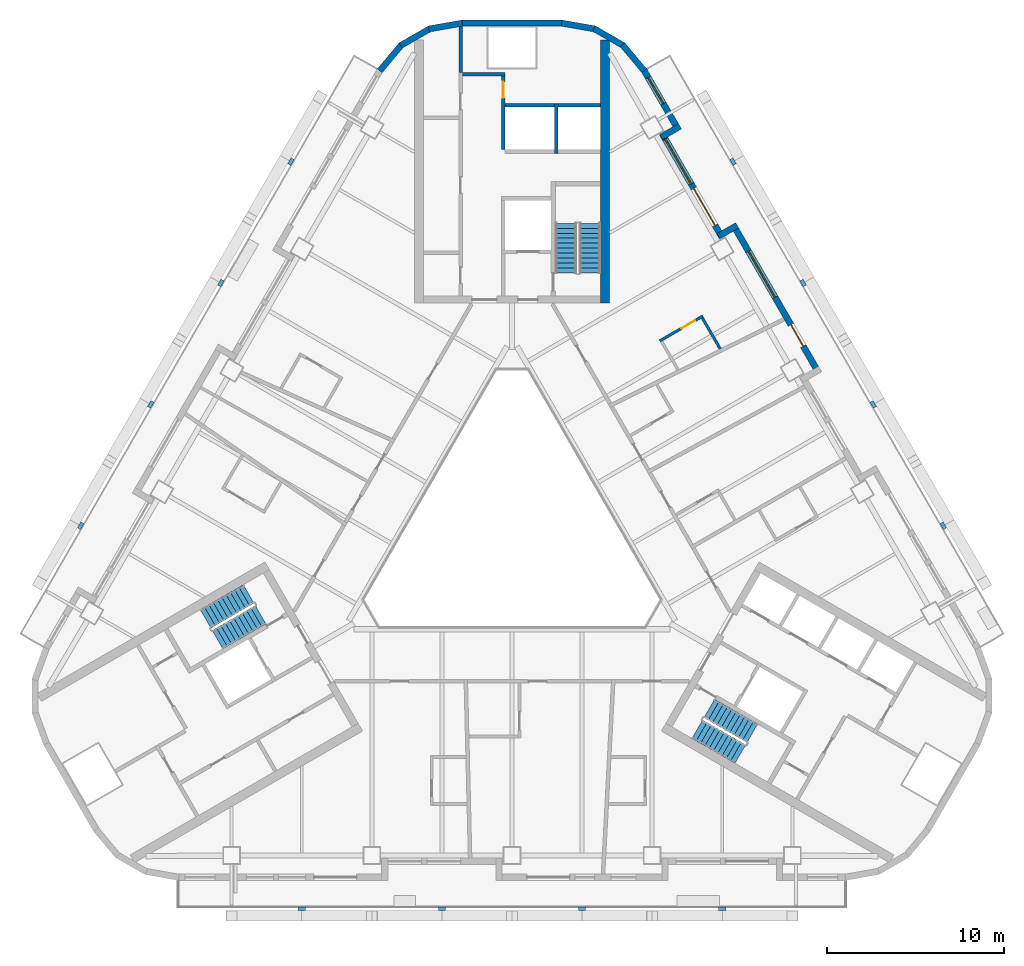
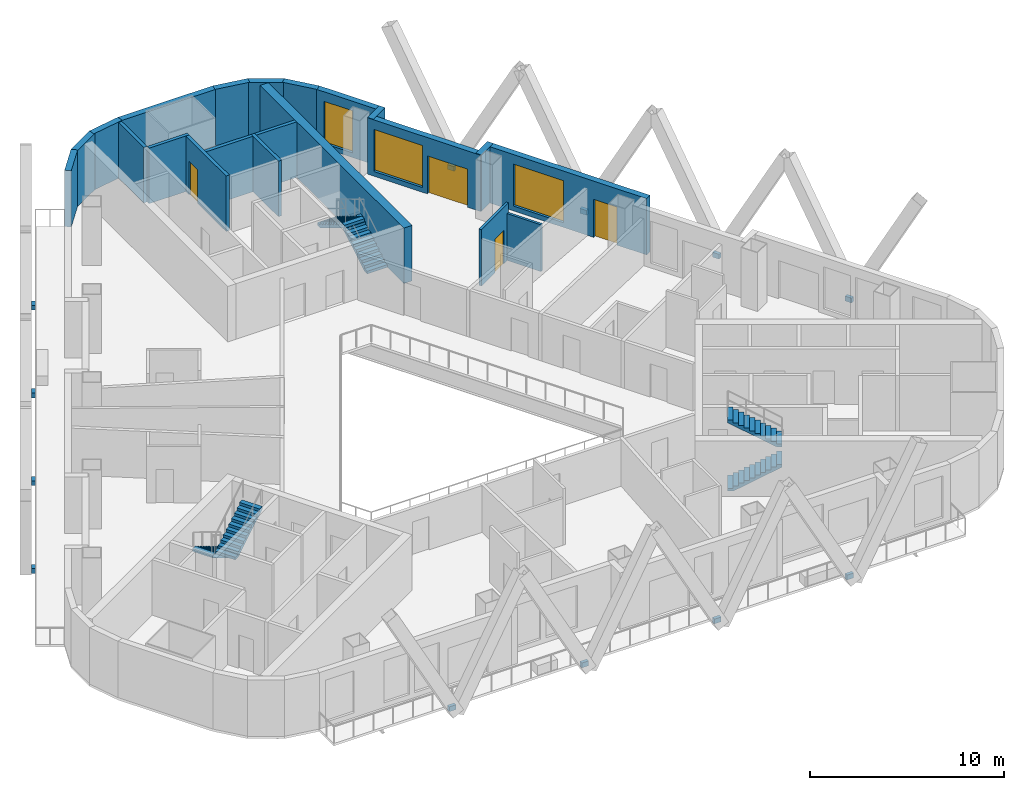
# One storey, part 7 of 13: 21 walls, 12 discrete accessories, 6 stair flights, 4 doors, 3 windows, 7 openings, 3 elements without a shape of their own.
"""IFC4 building model written with IfcOpenShell, lengths in metres."""

import ifcopenshell
import ifcopenshell.guid

model = None  # the IFC model being written
_history = None  # IfcOwnerHistory: only IFC2X3 demands one
_inside = {}  # id of a spatial element -> (the spatial element, [elements in it])
_under = {}  # id of a project, library or spatial element -> (it, [spatial elements below it])
_declared = {}  # id of a project -> (the project, [libraries it declares])
_typed = {}  # id of a type object -> (the type object, [elements of that type])
_made_of = {}  # id of a material, layer set ... -> (it, [elements and type objects made of it])


def new_model(schema):
    """Start an empty IFC model of exactly this schema.

    Asked for "IFC4X3", IfcOpenShell would pick the latest addendum, in which some entities
    have other attributes; the version numbers below select the first issue.
    IFC2X3 requires an IfcOwnerHistory on every rooted entity: one is made here for all.
    """
    global model, _history
    if schema == "IFC4X3":
        model = ifcopenshell.file(schema_version=(4, 3, 0, 0))
    else:
        model = ifcopenshell.file(schema=schema)
    _inside.clear()
    _under.clear()
    _declared.clear()
    _typed.clear()
    _made_of.clear()
    _history = None
    if model.schema == "IFC2X3":
        org = make("IfcOrganization", Name="unknown")
        user = make(
            "IfcPersonAndOrganization",
            ThePerson=make("IfcPerson", FamilyName="unknown"),
            TheOrganization=org,
        )
        app = make(
            "IfcApplication",
            ApplicationDeveloper=org,
            Version="unknown",
            ApplicationFullName="unknown",
            ApplicationIdentifier="unknown",
        )
        _history = make(
            "IfcOwnerHistory",
            OwningUser=user,
            OwningApplication=app,
            ChangeAction="ADDED",
            CreationDate=0,
        )
    return model


def make(cls, **values):
    """One entity of the class cls with the attributes given. An attribute that is None is left unset."""
    return model.create_entity(
        cls, **{name: value for name, value in values.items() if value is not None}
    )


def rooted(cls, **values):
    """An entity with a GlobalId (a new one), such as an element, a storey or a relation."""
    return make(cls, GlobalId=ifcopenshell.guid.new(), OwnerHistory=_history, **values)


def si_unit(unit_type, name, prefix=None):
    """IfcSIUnit, for example si_unit("LENGTHUNIT", "METRE", prefix="MILLI")."""
    return make("IfcSIUnit", UnitType=unit_type, Prefix=prefix, Name=name)


def assignment(units):
    """IfcUnitAssignment: the units of a project."""
    return None if units is None else make("IfcUnitAssignment", Units=units)


def point(xyz):
    """IfcCartesianPoint."""
    return None if xyz is None else make("IfcCartesianPoint", Coordinates=xyz)


def direction(xyz):
    """IfcDirection."""
    return None if xyz is None else make("IfcDirection", DirectionRatios=xyz)


def frame(location, z_axis=None, x_axis=None):
    """IfcAxis2Placement3D, a coordinate frame: its origin and axes. An axis left out is left unset."""
    return make(
        "IfcAxis2Placement3D",
        Location=point(location),
        Axis=direction(z_axis),
        RefDirection=direction(x_axis),
    )


def frame_2d(location, x_axis=None):
    """IfcAxis2Placement2D, a coordinate frame in the plane: its origin and x axis."""
    return make(
        "IfcAxis2Placement2D", Location=point(location), RefDirection=direction(x_axis)
    )


def origin():
    """The frame at (0, 0, 0) with its axes left unset."""
    return frame((0.0, 0.0, 0.0))


def origin_2d():
    """The frame at (0, 0) in the plane with its x axis left unset."""
    return frame_2d((0.0, 0.0))


def place(relative_to, where):
    """IfcLocalPlacement: puts the frame where relative to a parent placement (None: the world)."""
    return make(
        "IfcLocalPlacement", PlacementRelTo=relative_to, RelativePlacement=where
    )


def context(
    kind, dimensions, precision=None, world=None, true_north=None, identifier=None
):
    """IfcGeometricRepresentationContext, for example the 3D "Model" context."""
    return make(
        "IfcGeometricRepresentationContext",
        ContextIdentifier=identifier,
        ContextType=kind,
        CoordinateSpaceDimension=dimensions,
        Precision=precision,
        WorldCoordinateSystem=world,
        TrueNorth=true_north,
    )


def subcontext(parent, identifier, kind, view, scale=None):
    """IfcGeometricRepresentationSubContext, for example "Body" below "Model"."""
    return make(
        "IfcGeometricRepresentationSubContext",
        ContextIdentifier=identifier,
        ContextType=kind,
        ParentContext=parent,
        TargetScale=scale,
        TargetView=view,
    )


def project(units=None, contexts=None):
    """IfcProject with its units and contexts."""
    return rooted(
        "IfcProject",
        Name="project",
        RepresentationContexts=contexts,
        UnitsInContext=assignment(units),
    )


def spatial(cls, under=None, at=None, **own):
    """A site, building, storey or space (cls), placed at a placement, below another one or the project."""
    s = rooted(cls, ObjectPlacement=at, **own)
    if under is not None:
        _under.setdefault(under.id(), (under, []))[1].append(s)
    return s


def polyline(points):
    """IfcPolyline through the points."""
    return make("IfcPolyline", Points=[point(p) for p in points])


def profile(cls, at=None, kind="AREA", **sizes):
    """A parametric profile (cls). Its sizes go by their IFC names, for example OverallWidth=200.0."""
    return make(cls, ProfileType=kind, Position=at, **sizes)


def rectangle(**sizes):
    """IfcRectangleProfileDef."""
    return profile("IfcRectangleProfileDef", **sizes)


def outline(outer, holes=None, kind="AREA"):
    """IfcArbitraryClosedProfileDef: a profile drawn as a closed curve; with holes, ...WithVoids."""
    if holes is None:
        return make("IfcArbitraryClosedProfileDef", ProfileType=kind, OuterCurve=outer)
    return make(
        "IfcArbitraryProfileDefWithVoids",
        ProfileType=kind,
        OuterCurve=outer,
        InnerCurves=holes,
    )


def extrude(swept, where, along, depth):
    """IfcExtrudedAreaSolid: the profile swept, set in the frame where, extruded along a direction by depth."""
    return make(
        "IfcExtrudedAreaSolid",
        SweptArea=swept,
        Position=where,
        ExtrudedDirection=direction(along),
        Depth=depth,
    )


def shape(context_of_items, identifier, shape_type, items):
    """IfcShapeRepresentation: the items that make up one representation, for example the "Body"."""
    return make(
        "IfcShapeRepresentation",
        ContextOfItems=context_of_items,
        RepresentationIdentifier=identifier,
        RepresentationType=shape_type,
        Items=items,
    )


def material(Name=None, Category=None):
    """IfcMaterial."""
    return make("IfcMaterial", Name=Name, Category=Category)


def layer(
    of_material, thickness, ventilated=None, Name=None, Category=None, Priority=None
):
    """IfcMaterialLayer: one layer of a wall or slab, of a material (None: an air gap)."""
    return make(
        "IfcMaterialLayer",
        Material=of_material,
        LayerThickness=thickness,
        IsVentilated=ventilated,
        Name=Name,
        Category=Category,
        Priority=Priority,
    )


def layer_set(layers, Name=None):
    """IfcMaterialLayerSet."""
    return make("IfcMaterialLayerSet", MaterialLayers=layers, LayerSetName=Name)


def made_of(thing, what):
    """Note that an element or type object is made of a material, layer set ...; save() writes the relation."""
    if what is not None:
        _made_of.setdefault(what.id(), (what, []))[1].append(thing)
    return thing


def type_object(cls, material=None, **own):
    """A type object (cls), such as IfcWallType, which elements share."""
    return made_of(rooted(cls, **own), material)


def element(
    cls,
    number,
    at=None,
    inside=None,
    cuts=None,
    type_object=None,
    material=None,
    context=None,
    identifier="Body",
    shape_type=None,
    held_by="IfcProductDefinitionShape",
    body=None,
    shapes=None,
    **own,
):
    """One element of the class cls, such as IfcWall. Its Tag is "e" and its number.

    at: its placement. inside: the storey or other place that contains it. cuts: it is an
    opening in that element (IfcRelVoidsElement). A single representation is given by context,
    identifier, shape_type and body (its items); several are given by shapes. held_by: the class
    of the entity that holds the representations. save() writes the other relations.
    """
    e = rooted(cls, Tag="e%d" % number, ObjectPlacement=at, **own)
    if body is not None:
        shapes = [shape(context, identifier, shape_type, body)]
    if shapes is not None:
        e.Representation = make(held_by, Representations=shapes)
    if inside is not None:
        _inside.setdefault(inside.id(), (inside, []))[1].append(e)
    if cuts is not None:
        rooted(
            "IfcRelVoidsElement", RelatingBuildingElement=cuts, RelatedOpeningElement=e
        )
    if type_object is not None:
        _typed.setdefault(type_object.id(), (type_object, []))[1].append(e)
    return made_of(e, material)


def fill(opening, filler):
    """IfcRelFillsElement: the door or window that sits in an opening."""
    return rooted(
        "IfcRelFillsElement",
        RelatingOpeningElement=opening,
        RelatedBuildingElement=filler,
    )


def aggregate(whole, parts):
    """IfcRelAggregates: a whole, such as a stair, and the parts it consists of."""
    return rooted("IfcRelAggregates", RelatingObject=whole, RelatedObjects=parts)


def save(model, path):
    """Write the relations noted so far, then the file.

    IfcRelAggregates (storeys below a building ...), IfcRelContainedInSpatialStructure (elements
    in a storey), IfcRelDefinesByType, IfcRelAssociatesMaterial and IfcRelDeclares: one each for
    every whole, place, type object, material and project.
    """
    for whole, parts in _under.values():
        aggregate(whole, parts)
    for where, things in _inside.values():
        rooted(
            "IfcRelContainedInSpatialStructure",
            RelatedElements=things,
            RelatingStructure=where,
        )
    for kind, things in _typed.values():
        rooted("IfcRelDefinesByType", RelatedObjects=things, RelatingType=kind)
    for what, things in _made_of.values():
        rooted("IfcRelAssociatesMaterial", RelatedObjects=things, RelatingMaterial=what)
    for by, libraries in _declared.values():
        rooted("IfcRelDeclares", RelatingContext=by, RelatedDefinitions=libraries)
    model.write(path)


model = new_model("IFC4")

# Units and contexts
model_context = context("Model", 3, precision=1e-05, world=origin(), true_north=direction((0.0, 1.0)))
body_context = subcontext(model_context, "Body", "Model", "MODEL_VIEW")
ifc_project = project(units=[si_unit("LENGTHUNIT", "METRE"), si_unit("AREAUNIT", "SQUARE_METRE"), si_unit("VOLUMEUNIT", "CUBIC_METRE"), si_unit("PLANEANGLEUNIT", "RADIAN"), si_unit("MASSUNIT", "GRAM", prefix="KILO")], contexts=[model_context])

# Site, building, storey
site_placement = place(None, origin())
site = spatial("IfcSite", under=ifc_project, at=site_placement, CompositionType="ELEMENT")
building_placement = place(site_placement, origin())
building = spatial("IfcBuilding", under=site, at=building_placement, Name="Apuvela Tower Hotel", CompositionType="ELEMENT")
storey_placement = place(building_placement, frame((0.0, 0.0, 83.5)))
storey = spatial("IfcBuildingStorey", under=building, at=storey_placement, Name="L18", CompositionType="ELEMENT", Elevation=83.5)

# Walls
ifc_material_1 = material(Name="Concrete C50/60", Category="concrete")
ifc_layer_1 = layer(ifc_material_1, 0.5)
ifc_layer_set_1 = layer_set([ifc_layer_1], Name="COR-WALL-CORE-500")
wall_type_1 = type_object("IfcWallType", Name="COR-WALL-CORE-500", PredefinedType="SHEAR", material=ifc_layer_set_1)
wall_1_placement = place(storey_placement, frame((5.25, 12.89990234375, 0.0), z_axis=(0.0, 0.0, 1.0), x_axis=(0.0, 1.0, 0.0)))
element("IfcWall", 1, at=wall_1_placement, inside=storey, type_object=wall_type_1, Name="Core wall N", PredefinedType="SHEAR", context=body_context, shape_type="SweptSolid", body=[
    extrude(rectangle(XDim=14.8369140625, YDim=0.5, at=frame_2d((7.41845703125, 0.0))), origin(), (0.0, 0.0, 1.0), 3.5),
])
ifc_layer_2 = layer(ifc_material_1, 0.199951171875)
ifc_layer_set_2 = layer_set([ifc_layer_2], Name="COR-WALL-SHAFT-200")
wall_type_2 = type_object("IfcWallType", Name="COR-WALL-SHAFT-200", PredefinedType="SHEAR", material=ifc_layer_set_2)
wall_2_placement = place(storey_placement, frame((-0.39990234375, 25.800048828125, 0.0), z_axis=(0.0, 0.0, 1.0), x_axis=(-1.0, 0.0, 0.0)))
element("IfcWall", 2, at=wall_2_placement, inside=storey, type_object=wall_type_2, Name="Shaft wall N", PredefinedType="SHEAR", context=body_context, shape_type="SweptSolid", body=[
    extrude(rectangle(XDim=2.400146484375, YDim=0.199951171875, at=frame_2d((1.2001953125, 0.0))), origin(), (0.0, 0.0, 1.0), 3.5),
])

# Wall, opening, door
wall_3_placement = place(storey_placement, frame((-0.5, 21.550048828125, 0.0), z_axis=(0.0, 0.0, 1.0), x_axis=(0.0, 1.0, 0.0)))
wall_3 = element("IfcWall", 3, at=wall_3_placement, inside=storey, type_object=wall_type_2, Name="Shaft wall N", PredefinedType="SHEAR", context=body_context, shape_type="SweptSolid", body=[
    extrude(rectangle(XDim=4.14990234375, YDim=0.199951171875, at=frame_2d((2.074951171875, 0.0))), origin(), (0.0, 0.0, 1.0), 3.5),
])
opening_1_placement = place(wall_3_placement, frame((2.925048828125, 0.0, 0.0)))
opening_1 = element("IfcOpeningElement", 4, at=opening_1_placement, cuts=wall_3, Name="Opening N-RSP", PredefinedType="OPENING", context=body_context, shape_type="SweptSolid", body=[
    extrude(rectangle(XDim=0.89990234375, YDim=2.10009765625, at=frame_2d((0.449951171875, 1.050048828125))), frame((0.0, 0.10986328125, 0.0), z_axis=(0.0, -1.0, 0.0), x_axis=(1.0, 0.0, 0.0)), (0.0, 0.0, 1.0), 0.219970703125),
])
ifc_material_2 = material(Name="Steel fire door, powder coated", Category="steel")
door_type_1 = type_object("IfcDoorType", Name="COR-DR-900", OperationType="NOTDEFINED", PredefinedType="DOOR", material=ifc_material_2)
door_1_placement = place(opening_1_placement, frame((0.89990234375, 0.0, 0.0), z_axis=(0.0, 0.0, 1.0), x_axis=(-1.0, 0.0, 0.0)))
door_1 = element("IfcDoor", 5, at=door_1_placement, inside=storey, type_object=door_type_1, Name="Store door N-RSP", OperationType="SINGLE_SWING_LEFT", OverallHeight=2.10009765625, OverallWidth=0.89990234375, PredefinedType="DOOR", context=body_context, shape_type="SweptSolid", body=[
    extrude(rectangle(XDim=0.89990234375, YDim=2.10009765625, at=frame_2d((0.449951171875, 1.050048828125))), frame((0.0, 0.02490234375, 0.0), z_axis=(0.0, -1.0, 0.0), x_axis=(1.0, 0.0, 0.0)), (0.0, 0.0, 1.0), 0.050048828125),
])
fill(opening_1, door_1)

# Walls
wall_4_placement = place(storey_placement, frame((-2.89990234375, 25.89990234375, 0.0), z_axis=(0.0, 0.0, 1.0), x_axis=(0.0, 1.0, 0.0)))
element("IfcWall", 6, at=wall_4_placement, inside=storey, type_object=wall_type_2, Name="Shaft wall N", PredefinedType="SHEAR", context=body_context, shape_type="SweptSolid", body=[
    extrude(rectangle(XDim=2.60009765625, YDim=0.199951171875, at=frame_2d((1.300048828125, 0.0))), origin(), (0.0, 0.0, 1.0), 3.5),
])
wall_5_placement = place(storey_placement, frame((2.5, 21.35009765625, 0.0), z_axis=(0.0, 0.0, 1.0), x_axis=(0.0, 1.0, 0.0)))
element("IfcWall", 7, at=wall_5_placement, inside=storey, type_object=wall_type_2, Name="Shaft wall N", PredefinedType="SHEAR", context=body_context, shape_type="SweptSolid", body=[
    extrude(rectangle(XDim=2.7998046875, YDim=0.199951171875, at=frame_2d((1.39990234375, 0.0))), origin(), (0.0, 0.0, 1.0), 3.5),
])
wall_6_placement = place(storey_placement, frame((5.0, 24.050048828125, 0.0), z_axis=(0.0, 0.0, 1.0), x_axis=(-1.0, 0.0, 0.0)))
element("IfcWall", 8, at=wall_6_placement, inside=storey, type_object=wall_type_2, Name="Shaft wall N", PredefinedType="SHEAR", context=body_context, shape_type="SweptSolid", body=[
    extrude(rectangle(XDim=2.39990234375, YDim=0.199951171875, at=frame_2d((1.199951171875, 0.0))), origin(), (0.0, 0.0, 1.0), 3.5),
])
wall_7_placement = place(storey_placement, frame((2.39990234375, 24.050048828125, 0.0), z_axis=(0.0, 0.0, 1.0), x_axis=(-1.0, 0.0, 0.0)))
element("IfcWall", 9, at=wall_7_placement, inside=storey, type_object=wall_type_2, Name="Shaft wall N", PredefinedType="SHEAR", context=body_context, shape_type="SweptSolid", body=[
    extrude(rectangle(XDim=2.7998046875, YDim=0.199951171875, at=frame_2d((1.39990234375, 0.0))), origin(), (0.0, 0.0, 1.0), 3.5),
])

# Wall, openings, door, window
ifc_material_3 = material(Name="Concrete C40/50, dark pigmented precast panel", Category="concrete")
ifc_layer_3 = layer(ifc_material_3, 0.35009765625)
ifc_layer_set_3 = layer_set([ifc_layer_3], Name="ENV-WALL-350")
wall_type_3 = type_object("IfcWallType", Name="ENV-WALL-350", PredefinedType="SOLIDWALL", material=ifc_layer_set_3)
wall_8_placement = place(storey_placement, frame((17.298583984375, 8.947998046875, 0.0), z_axis=(0.0, 0.0, 1.0), x_axis=(-0.500010041276, 0.866019606374, 0.0)))
wall_8 = element("IfcWall", 10, at=wall_8_placement, inside=storey, type_object=wall_type_3, Name="External wall L18-37", PredefinedType="SOLIDWALL", context=body_context, shape_type="SweptSolid", body=[
    extrude(rectangle(XDim=9.699951171875, YDim=0.35009765625, at=frame_2d((4.85009765625, 0.0))), origin(), (0.0, 0.0, 1.0), 3.550048828125),
])
opening_2_placement = place(wall_8_placement, frame((1.760009765625, 0.0, 0.0)))
opening_2 = element("IfcOpeningElement", 11, at=opening_2_placement, cuts=wall_8, Name="Opening BD14", PredefinedType="OPENING", context=body_context, shape_type="SweptSolid", body=[
    extrude(rectangle(XDim=1.39990234375, YDim=2.39990234375, at=frame_2d((0.699951171875, 1.199951171875))), frame((0.0, 0.18505859375, 0.0), z_axis=(0.0, -1.0, 0.0), x_axis=(1.0, 0.0, 0.0)), (0.0, 0.0, 1.0), 0.3701171875),
])
opening_3_placement = place(wall_8_placement, frame((4.94921875, 0.0, 0.300048828125)))
opening_3 = element("IfcOpeningElement", 12, at=opening_3_placement, cuts=wall_8, Name="Opening WN30", PredefinedType="OPENING", context=body_context, shape_type="SweptSolid", body=[
    extrude(rectangle(XDim=3.0, YDim=2.64990234375, at=frame_2d((1.5, 1.324951171875))), frame((0.0, 0.18505859375, 0.0), z_axis=(0.0, -1.0, 0.0), x_axis=(1.0, 0.0, 0.0)), (0.0, 0.0, 1.0), 0.3701171875),
])
ifc_material_4 = material(Name="Aluminium 6063-T6, dark bronze anodised frame with dark tinted laminated glass", Category="aluminium")
door_type_2 = type_object("IfcDoorType", Name="ENV-DOOR-BALCONY-1400x2400", OperationType="SLIDING_TO_LEFT", PredefinedType="DOOR", material=ifc_material_4)
door_2_placement = place(opening_2_placement, frame((1.39990234375, 0.0, 0.0), z_axis=(0.0, 0.0, 1.0), x_axis=(-1.0, 0.0, 0.0)))
door_2 = element("IfcDoor", 13, at=door_2_placement, inside=storey, type_object=door_type_2, Name="Balcony door BD14", OperationType="SLIDING_TO_LEFT", OverallHeight=2.39990234375, OverallWidth=1.39990234375, PredefinedType="DOOR", context=body_context, shape_type="SweptSolid", body=[
    extrude(rectangle(XDim=1.39990234375, YDim=2.39990234375, at=frame_2d((0.699951171875, 1.199951171875))), frame((0.0, 0.02490234375, 0.0), z_axis=(0.0, -1.0, 0.0), x_axis=(1.0, 0.0, 0.0)), (0.0, 0.0, 1.0), 0.050048828125),
])
fill(opening_2, door_2)
ifc_material_5 = material(Name="Glass, dark tinted laminated insulated glazing unit", Category="glass")
window_type_1 = type_object("IfcWindowType", Name="ENV-WIN-3000x2650", PartitioningType="SINGLE_PANEL", PredefinedType="WINDOW", material=ifc_material_5)
window_1_placement = place(opening_3_placement, origin())
window_1 = element("IfcWindow", 14, at=window_1_placement, inside=storey, type_object=window_type_1, Name="Window WN30", OverallHeight=2.64990234375, OverallWidth=3.0, PartitioningType="SINGLE_PANEL", PredefinedType="WINDOW", context=body_context, shape_type="SweptSolid", body=[
    extrude(rectangle(XDim=3.0, YDim=2.64990234375, at=frame_2d((1.5, 1.324951171875))), frame((0.0, 0.030029296875, 0.0), z_axis=(0.0, -1.0, 0.0), x_axis=(1.0, 0.0, 0.0)), (0.0, 0.0, 1.0), 0.06005859375),
])
fill(opening_3, window_1)

# Wall
wall_9_placement = place(storey_placement, frame((12.6875, 17.284423828125, 0.0), z_axis=(0.0, 0.0, 1.0), x_axis=(-0.865955602162, -0.500120880472, 0.0)))
element("IfcWall", 15, at=wall_9_placement, inside=storey, type_object=wall_type_3, Name="External wall L18-38", PredefinedType="SOLIDWALL", context=body_context, shape_type="SweptSolid", body=[
    extrude(rectangle(XDim=1.219970703125, YDim=0.35009765625, at=frame_2d((0.60986328125, 0.0))), origin(), (0.0, 0.0, 1.0), 3.550048828125),
])

# Wall, openings, door, window
wall_10_placement = place(storey_placement, frame((11.8291015625, 16.621337890625, 0.0), z_axis=(0.0, 0.0, 1.0), x_axis=(-0.500003597184, 0.866023326939, 0.0)))
wall_10 = element("IfcWall", 16, at=wall_10_placement, inside=storey, type_object=wall_type_3, Name="External wall L18-39", PredefinedType="SOLIDWALL", context=body_context, shape_type="SweptSolid", body=[
    extrude(rectangle(XDim=6.740234375, YDim=0.35009765625, at=frame_2d((3.3701171875, 0.0))), origin(), (0.0, 0.0, 1.0), 3.550048828125),
])
opening_4_placement = place(wall_10_placement, frame((0.77001953125, 0.0, 0.0)))
opening_4 = element("IfcOpeningElement", 17, at=opening_4_placement, cuts=wall_10, Name="Opening BD24", PredefinedType="OPENING", context=body_context, shape_type="SweptSolid", body=[
    extrude(rectangle(XDim=2.39990234375, YDim=2.39990234375, at=frame_2d((1.199951171875, 1.199951171875))), frame((0.0, 0.18505859375, 0.0), z_axis=(0.0, -1.0, 0.0), x_axis=(1.0, 0.0, 0.0)), (0.0, 0.0, 1.0), 0.3701171875),
])
opening_5_placement = place(wall_10_placement, frame((3.469970703125, 0.0, 0.300048828125)))
opening_5 = element("IfcOpeningElement", 18, at=opening_5_placement, cuts=wall_10, Name="Opening WN29", PredefinedType="OPENING", context=body_context, shape_type="SweptSolid", body=[
    extrude(rectangle(XDim=2.89990234375, YDim=2.64990234375, at=frame_2d((1.449951171875, 1.324951171875))), frame((0.0, 0.18505859375, 0.0), z_axis=(0.0, -1.0, 0.0), x_axis=(1.0, 0.0, 0.0)), (0.0, 0.0, 1.0), 0.3701171875),
])
door_type_3 = type_object("IfcDoorType", Name="ENV-DOOR-BALCONY-2400x2400", OperationType="SLIDING_TO_LEFT", PredefinedType="DOOR", material=ifc_material_4)
door_3_placement = place(opening_4_placement, frame((2.39990234375, 0.0, 0.0), z_axis=(0.0, 0.0, 1.0), x_axis=(-1.0, 0.0, 0.0)))
door_3 = element("IfcDoor", 19, at=door_3_placement, inside=storey, type_object=door_type_3, Name="Balcony door BD24", OperationType="SLIDING_TO_LEFT", OverallHeight=2.39990234375, OverallWidth=2.39990234375, PredefinedType="DOOR", context=body_context, shape_type="SweptSolid", body=[
    extrude(rectangle(XDim=2.39990234375, YDim=2.39990234375, at=frame_2d((1.199951171875, 1.199951171875))), frame((0.0, 0.02490234375, 0.0), z_axis=(0.0, -1.0, 0.0), x_axis=(1.0, 0.0, 0.0)), (0.0, 0.0, 1.0), 0.050048828125),
])
fill(opening_4, door_3)
window_type_2 = type_object("IfcWindowType", Name="ENV-WIN-2900x2650", PartitioningType="SINGLE_PANEL", PredefinedType="WINDOW", material=ifc_material_5)
window_2_placement = place(opening_5_placement, origin())
window_2 = element("IfcWindow", 20, at=window_2_placement, inside=storey, type_object=window_type_2, Name="Window WN29", OverallHeight=2.64990234375, OverallWidth=2.89990234375, PartitioningType="SINGLE_PANEL", PredefinedType="WINDOW", context=body_context, shape_type="SweptSolid", body=[
    extrude(rectangle(XDim=2.89990234375, YDim=2.64990234375, at=frame_2d((1.449951171875, 1.324951171875))), frame((0.0, 0.030029296875, 0.0), z_axis=(0.0, -1.0, 0.0), x_axis=(1.0, 0.0, 0.0)), (0.0, 0.0, 1.0), 0.06005859375),
])
fill(opening_5, window_2)

# Wall
wall_11_placement = place(storey_placement, frame((8.406005859375, 22.26025390625, 0.0), z_axis=(0.0, 0.0, 1.0), x_axis=(0.865955602162, 0.500120880472, 0.0)))
element("IfcWall", 21, at=wall_11_placement, inside=storey, type_object=wall_type_3, Name="External wall L18-40", PredefinedType="SOLIDWALL", context=body_context, shape_type="SweptSolid", body=[
    extrude(rectangle(XDim=1.219970703125, YDim=0.35009765625, at=frame_2d((0.60986328125, 0.0))), origin(), (0.0, 0.0, 1.0), 3.550048828125),
])

# Wall, opening, window
wall_12_placement = place(storey_placement, frame((9.3984375, 22.631103515625, 0.0), z_axis=(0.0, 0.0, 1.0), x_axis=(-0.499954521343, 0.866051659307, 0.0)))
wall_12 = element("IfcWall", 22, at=wall_12_placement, inside=storey, type_object=wall_type_3, Name="External wall L18-41", PredefinedType="SOLIDWALL", context=body_context, shape_type="SweptSolid", body=[
    extrude(rectangle(XDim=3.915771484375, YDim=0.35009765625, at=frame_2d((1.9580078125, 0.0))), origin(), (0.0, 0.0, 1.0), 3.550048828125),
])
opening_6_placement = place(wall_12_placement, frame((1.749755859375, 0.0, 0.300048828125)))
opening_6 = element("IfcOpeningElement", 23, at=opening_6_placement, cuts=wall_12, Name="Opening WN17", PredefinedType="OPENING", context=body_context, shape_type="SweptSolid", body=[
    extrude(rectangle(XDim=1.699951171875, YDim=2.64990234375, at=frame_2d((0.85009765625, 1.324951171875))), frame((0.0, 0.18505859375, 0.0), z_axis=(0.0, -1.0, 0.0), x_axis=(1.0, 0.0, 0.0)), (0.0, 0.0, 1.0), 0.3701171875),
])
window_type_3 = type_object("IfcWindowType", Name="ENV-WIN-1700x2650", PartitioningType="SINGLE_PANEL", PredefinedType="WINDOW", material=ifc_material_5)
window_3_placement = place(opening_6_placement, origin())
window_3 = element("IfcWindow", 24, at=window_3_placement, inside=storey, type_object=window_type_3, Name="Window WN17", OverallHeight=2.64990234375, OverallWidth=1.699951171875, PartitioningType="SINGLE_PANEL", PredefinedType="WINDOW", context=body_context, shape_type="SweptSolid", body=[
    extrude(rectangle(XDim=1.699951171875, YDim=2.64990234375, at=frame_2d((0.85009765625, 1.324951171875))), frame((0.0, 0.030029296875, 0.0), z_axis=(0.0, -1.0, 0.0), x_axis=(1.0, 0.0, 0.0)), (0.0, 0.0, 1.0), 0.06005859375),
])
fill(opening_6, window_3)

# Walls
wall_13_placement = place(storey_placement, frame((7.4580078125, 25.99755859375, 0.0), z_axis=(0.0, 0.0, 1.0), x_axis=(-0.642808304945, 0.766027077259, 0.0)))
element("IfcWall", 25, at=wall_13_placement, inside=storey, type_object=wall_type_3, Name="External wall L18-42", PredefinedType="SOLIDWALL", context=body_context, shape_type="SweptSolid", body=[
    extrude(rectangle(XDim=1.909912109375, YDim=0.35009765625, at=frame_2d((0.955078125, 0.0))), origin(), (0.0, 0.0, 1.0), 3.550048828125),
])
for number, where, z_axis, x_axis, name in (
    (26, (6.27685546875, 27.421630859375, 0.0), (0.0, 0.0, 1.0), (-0.866032345022, 0.499987977232, 0.0), "External wall L18-43"),
    (27, (4.6796875, 28.35595703125, 0.0), (0.0, 0.0, 1.0), (-0.984798995425, 0.173697837091, 0.0), "External wall L18-44"),
):
    element("IfcWall", number, at=place(storey_placement, frame(where, z_axis=z_axis, x_axis=x_axis)), inside=storey, type_object=wall_type_3, Name=name, PredefinedType="SOLIDWALL", context=body_context, shape_type="SweptSolid", body=[
        extrude(rectangle(XDim=1.91015625, YDim=0.35009765625, at=frame_2d((0.955078125, 0.0))), origin(), (0.0, 0.0, 1.0), 3.550048828125),
    ])
wall_14_placement = place(storey_placement, frame((2.8291015625, 28.68505859375, 0.0), z_axis=(0.0, 0.0, 1.0), x_axis=(-1.0, 0.0, 0.0)))
element("IfcWall", 28, at=wall_14_placement, inside=storey, type_object=wall_type_3, Name="External wall L18-45", PredefinedType="SOLIDWALL", context=body_context, shape_type="SweptSolid", body=[
    extrude(rectangle(XDim=5.658203125, YDim=0.35009765625, at=frame_2d((2.8291015625, 0.0))), origin(), (0.0, 0.0, 1.0), 3.550048828125),
])
for number, where, z_axis, x_axis, name in (
    (29, (-2.798583984375, 28.687744140625, 0.0), (0.0, 0.0, 1.0), (-0.984798995425, -0.173697837091, 0.0), "External wall L18-46"),
    (30, (-4.62255859375, 28.376708984375, 0.0), (0.0, 0.0, 1.0), (-0.866032345022, -0.499987977232, 0.0), "External wall L18-47"),
):
    element("IfcWall", number, at=place(storey_placement, frame(where, z_axis=z_axis, x_axis=x_axis)), inside=storey, type_object=wall_type_3, Name=name, PredefinedType="SOLIDWALL", context=body_context, shape_type="SweptSolid", body=[
        extrude(rectangle(XDim=1.91015625, YDim=0.35009765625, at=frame_2d((0.955078125, 0.0))), origin(), (0.0, 0.0, 1.0), 3.550048828125),
    ])
wall_15_placement = place(storey_placement, frame((-6.230224609375, 27.460693359375, 0.0), z_axis=(0.0, 0.0, 1.0), x_axis=(-0.642808304945, -0.766027077259, 0.0)))
element("IfcWall", 31, at=wall_15_placement, inside=storey, type_object=wall_type_3, Name="External wall L18-48", PredefinedType="SOLIDWALL", context=body_context, shape_type="SweptSolid", body=[
    extrude(rectangle(XDim=1.909912109375, YDim=0.35009765625, at=frame_2d((0.955078125, 0.0))), origin(), (0.0, 0.0, 1.0), 3.550048828125),
])

# Wall, opening, door
ifc_material_6 = material(Name="Moisture-resistant gypsum board wet wall on steel stud", Category="steel")
ifc_layer_4 = layer(ifc_material_6, 0.14990234375)
ifc_layer_set_4 = layer_set([ifc_layer_4], Name="GST-PW3")
wall_type_4 = type_object("IfcWallType", Name="GST-PW3", PredefinedType="PARTITIONING", material=ifc_layer_set_4)
wall_16_placement = place(storey_placement, frame((10.75341796875, 12.17431640625, 0.0), z_axis=(0.0, 0.0, 1.0), x_axis=(-0.866034573852, -0.49998411664, 0.0)))
wall_16 = element("IfcWall", 32, at=wall_16_placement, inside=storey, type_object=wall_type_4, Name="L18 partition 30", PredefinedType="PARTITIONING", context=body_context, shape_type="SweptSolid", body=[
    extrude(rectangle(XDim=2.7998046875, YDim=0.14990234375, at=frame_2d((1.39990234375, 0.0))), origin(), (0.0, 0.0, 1.0), 3.550048828125),
])
opening_7_placement = place(wall_16_placement, frame((0.5, 0.0, 0.0)))
opening_7 = element("IfcOpeningElement", 33, at=opening_7_placement, cuts=wall_16, Name="Opening GD05-13", PredefinedType="OPENING", context=body_context, shape_type="SweptSolid", body=[
    extrude(rectangle(XDim=0.89990234375, YDim=2.10009765625, at=frame_2d((0.449951171875, 1.050048828125))), frame((0.0, 0.0849609375, 0.0), z_axis=(0.0, -1.0, 0.0), x_axis=(1.0, 0.0, 0.0)), (0.0, 0.0, 1.0), 0.169921875),
])
ifc_material_7 = material(Name="Timber door leaf in steel frame", Category="steel")
door_type_4 = type_object("IfcDoorType", Name="GST-D2", OperationType="NOTDEFINED", PredefinedType="DOOR", material=ifc_material_7)
door_4_placement = place(opening_7_placement, origin())
door_4 = element("IfcDoor", 34, at=door_4_placement, inside=storey, type_object=door_type_4, Name="Door L18-13", OperationType="SINGLE_SWING_LEFT", OverallHeight=2.10009765625, OverallWidth=0.89990234375, PredefinedType="DOOR", context=body_context, shape_type="SweptSolid", body=[
    extrude(rectangle(XDim=0.89990234375, YDim=2.10009765625, at=frame_2d((0.449951171875, 1.050048828125))), frame((0.0, 0.02490234375, 0.0), z_axis=(0.0, -1.0, 0.0), x_axis=(1.0, 0.0, 0.0)), (0.0, 0.0, 1.0), 0.050048828125),
])
fill(opening_7, door_4)

# Wall
wall_17_placement = place(storey_placement, frame((11.737060546875, 10.32080078125, 0.0), z_axis=(0.0, 0.0, 1.0), x_axis=(-0.499969802211, 0.866042837784, 0.0)))
element("IfcWall", 35, at=wall_17_placement, inside=storey, type_object=wall_type_4, Name="L18 partition 31", PredefinedType="PARTITIONING", context=body_context, shape_type="SweptSolid", body=[
    extrude(rectangle(XDim=2.022216796875, YDim=0.14990234375, at=frame_2d((1.01123046875, 0.0))), origin(), (0.0, 0.0, 1.0), 2.949951171875),
])

# Stair, stair flights
stair_type = type_object("IfcStairType", Name="COR-STAIR-22R", PredefinedType="HALF_TURN_STAIR", material=ifc_material_1)
stair_1_placement = place(storey_placement, origin())
stair_1 = element("IfcStair", 36, at=stair_1_placement, inside=storey, type_object=stair_type, Name="L18 Exit stair ST1", PredefinedType="HALF_TURN_STAIR")
stair_flight_type = type_object("IfcStairFlightType", Name="COR-FLIGHT-11R", PredefinedType="STRAIGHT", material=ifc_material_1)
stair_flight_1_placement = place(storey_placement, frame((4.39990234375, 14.60009765625, 0.0), z_axis=(0.0, 0.0, 1.0), x_axis=(0.0, 1.0, 0.0)))
stair_flight_1 = element("IfcStairFlight", 37, at=stair_flight_1_placement, type_object=stair_flight_type, Name="ST1 flight 1", NumberOfRisers=11, NumberOfTreads=10, PredefinedType="STRAIGHT", RiserHeight=0.168181818, TreadLength=0.28, context=body_context, shape_type="SweptSolid", body=[
    extrude(outline(polyline([(0.0, 0.0), (0.0, 0.168212890625), (0.280029296875, 0.168212890625), (0.280029296875, 0.33642578125), (0.56005859375, 0.33642578125), (0.56005859375, 0.504638671875), (0.840087890625, 0.504638671875), (0.840087890625, 0.672607421875), (1.1201171875, 0.672607421875), (1.1201171875, 0.8408203125), (1.39990234375, 0.8408203125), (1.39990234375, 1.009033203125), (1.679931640625, 1.009033203125), (1.679931640625, 1.17724609375), (1.9599609375, 1.17724609375), (1.9599609375, 1.345458984375), (2.239990234375, 1.345458984375), (2.239990234375, 1.513671875), (2.52001953125, 1.513671875), (2.52001953125, 1.681884765625), (2.800048828125, 1.681884765625), (2.800048828125, 1.85009765625), (2.800048828125, 1.5068359375), (0.291015625, 0.0), (0.0, 0.0)])), frame((0.0, 0.60009765625, 0.0), z_axis=(0.0, -1.0, 0.0), x_axis=(1.0, 0.0, 0.0)), (0.0, 0.0, 1.0), 1.199951171875),
])
stair_flight_2_placement = place(storey_placement, frame((3.050048828125, 17.39990234375, 1.85009765625), z_axis=(0.0, 0.0, 1.0), x_axis=(0.0, -1.0, 0.0)))
stair_flight_2 = element("IfcStairFlight", 38, at=stair_flight_2_placement, type_object=stair_flight_type, Name="ST1 flight 2", NumberOfRisers=11, NumberOfTreads=10, PredefinedType="STRAIGHT", RiserHeight=0.168181818, TreadLength=0.28, context=body_context, shape_type="SweptSolid", body=[
    extrude(outline(polyline([(0.0, 0.0), (0.0, 0.168212890625), (0.280029296875, 0.168212890625), (0.280029296875, 0.33642578125), (0.56005859375, 0.33642578125), (0.56005859375, 0.504638671875), (0.840087890625, 0.504638671875), (0.840087890625, 0.672607421875), (1.1201171875, 0.672607421875), (1.1201171875, 0.8408203125), (1.39990234375, 0.8408203125), (1.39990234375, 1.009033203125), (1.679931640625, 1.009033203125), (1.679931640625, 1.17724609375), (1.9599609375, 1.17724609375), (1.9599609375, 1.345458984375), (2.239990234375, 1.345458984375), (2.239990234375, 1.513671875), (2.52001953125, 1.513671875), (2.52001953125, 1.681884765625), (2.800048828125, 1.681884765625), (2.800048828125, 1.85009765625), (2.800048828125, 1.5068359375), (0.291015625, 0.0), (0.0, 0.0)])), frame((0.0, 0.60009765625, 0.0), z_axis=(0.0, -1.0, 0.0), x_axis=(1.0, 0.0, 0.0)), (0.0, 0.0, 1.0), 1.199951171875),
])
aggregate(stair_1, [stair_flight_1, stair_flight_2])

stair_2_placement = place(storey_placement, origin())
stair_2 = element("IfcStair", 39, at=stair_2_placement, inside=storey, type_object=stair_type, Name="L18 Exit stair ST2", PredefinedType="HALF_TURN_STAIR")
stair_flight_3_placement = place(storey_placement, frame((-14.843994140625, -3.489501953125, 0.0), z_axis=(0.0, 0.0, 1.0), x_axis=(-0.866025403784, -0.5, 0.0)))
stair_flight_3 = element("IfcStairFlight", 40, at=stair_flight_3_placement, type_object=stair_flight_type, Name="ST2 flight 1", NumberOfRisers=11, NumberOfTreads=10, PredefinedType="STRAIGHT", RiserHeight=0.168181818, TreadLength=0.28, context=body_context, shape_type="SweptSolid", body=[
    extrude(outline(polyline([(0.0, 0.0), (0.0, 0.168212890625), (0.280029296875, 0.168212890625), (0.280029296875, 0.33642578125), (0.56005859375, 0.33642578125), (0.56005859375, 0.504638671875), (0.840087890625, 0.504638671875), (0.840087890625, 0.672607421875), (1.1201171875, 0.672607421875), (1.1201171875, 0.8408203125), (1.39990234375, 0.8408203125), (1.39990234375, 1.009033203125), (1.679931640625, 1.009033203125), (1.679931640625, 1.17724609375), (1.9599609375, 1.17724609375), (1.9599609375, 1.345458984375), (2.239990234375, 1.345458984375), (2.239990234375, 1.513671875), (2.52001953125, 1.513671875), (2.52001953125, 1.681884765625), (2.800048828125, 1.681884765625), (2.800048828125, 1.85009765625), (2.800048828125, 1.5068359375), (0.291015625, 0.0), (0.0, 0.0)])), frame((0.0, 0.60009765625, 0.0), z_axis=(0.0, -1.0, 0.0), x_axis=(1.0, 0.0, 0.0)), (0.0, 0.0, 1.0), 1.199951171875),
])
stair_flight_4_placement = place(storey_placement, frame((-16.59375, -6.05859375, 1.85009765625), z_axis=(0.0, 0.0, 1.0), x_axis=(0.866025403784, 0.5, 0.0)))
stair_flight_4 = element("IfcStairFlight", 41, at=stair_flight_4_placement, type_object=stair_flight_type, Name="ST2 flight 2", NumberOfRisers=11, NumberOfTreads=10, PredefinedType="STRAIGHT", RiserHeight=0.168181818, TreadLength=0.28, context=body_context, shape_type="SweptSolid", body=[
    extrude(outline(polyline([(0.0, 0.0), (0.0, 0.168212890625), (0.280029296875, 0.168212890625), (0.280029296875, 0.33642578125), (0.56005859375, 0.33642578125), (0.56005859375, 0.504638671875), (0.840087890625, 0.504638671875), (0.840087890625, 0.672607421875), (1.1201171875, 0.672607421875), (1.1201171875, 0.8408203125), (1.39990234375, 0.8408203125), (1.39990234375, 1.009033203125), (1.679931640625, 1.009033203125), (1.679931640625, 1.17724609375), (1.9599609375, 1.17724609375), (1.9599609375, 1.345458984375), (2.239990234375, 1.345458984375), (2.239990234375, 1.513671875), (2.52001953125, 1.513671875), (2.52001953125, 1.681884765625), (2.800048828125, 1.681884765625), (2.800048828125, 1.85009765625), (2.800048828125, 1.5068359375), (0.291015625, 0.0), (0.0, 0.0)])), frame((0.0, 0.60009765625, 0.0), z_axis=(0.0, -1.0, 0.0), x_axis=(1.0, 0.0, 0.0)), (0.0, 0.0, 1.0), 1.199951171875),
])
aggregate(stair_2, [stair_flight_3, stair_flight_4])

stair_3_placement = place(storey_placement, origin())
stair_3 = element("IfcStair", 42, at=stair_3_placement, inside=storey, type_object=stair_type, Name="L18 Exit stair ST3", PredefinedType="HALF_TURN_STAIR")
stair_flight_5_placement = place(storey_placement, frame((10.444091796875, -11.110595703125, 0.0), z_axis=(0.0, 0.0, 1.0), x_axis=(0.866025403784, -0.5, 0.0)))
stair_flight_5 = element("IfcStairFlight", 43, at=stair_flight_5_placement, type_object=stair_flight_type, Name="ST3 flight 1", NumberOfRisers=11, NumberOfTreads=10, PredefinedType="STRAIGHT", RiserHeight=0.168181818, TreadLength=0.28, context=body_context, shape_type="SweptSolid", body=[
    extrude(outline(polyline([(0.0, 0.0), (0.0, 0.168212890625), (0.280029296875, 0.168212890625), (0.280029296875, 0.33642578125), (0.56005859375, 0.33642578125), (0.56005859375, 0.504638671875), (0.840087890625, 0.504638671875), (0.840087890625, 0.672607421875), (1.1201171875, 0.672607421875), (1.1201171875, 0.8408203125), (1.39990234375, 0.8408203125), (1.39990234375, 1.009033203125), (1.679931640625, 1.009033203125), (1.679931640625, 1.17724609375), (1.9599609375, 1.17724609375), (1.9599609375, 1.345458984375), (2.239990234375, 1.345458984375), (2.239990234375, 1.513671875), (2.52001953125, 1.513671875), (2.52001953125, 1.681884765625), (2.800048828125, 1.681884765625), (2.800048828125, 1.85009765625), (2.800048828125, 1.5068359375), (0.291015625, 0.0), (0.0, 0.0)])), frame((0.0, 0.60009765625, 0.0), z_axis=(0.0, -1.0, 0.0), x_axis=(1.0, 0.0, 0.0)), (0.0, 0.0, 1.0), 1.199951171875),
])
stair_flight_6_placement = place(storey_placement, frame((13.5439453125, -11.34130859375, 1.85009765625), z_axis=(0.0, 0.0, 1.0), x_axis=(-0.866025403784, 0.5, 0.0)))
stair_flight_6 = element("IfcStairFlight", 44, at=stair_flight_6_placement, type_object=stair_flight_type, Name="ST3 flight 2", NumberOfRisers=11, NumberOfTreads=10, PredefinedType="STRAIGHT", RiserHeight=0.168181818, TreadLength=0.28, context=body_context, shape_type="SweptSolid", body=[
    extrude(outline(polyline([(0.0, 0.0), (0.0, 0.168212890625), (0.280029296875, 0.168212890625), (0.280029296875, 0.33642578125), (0.56005859375, 0.33642578125), (0.56005859375, 0.504638671875), (0.840087890625, 0.504638671875), (0.840087890625, 0.672607421875), (1.1201171875, 0.672607421875), (1.1201171875, 0.8408203125), (1.39990234375, 0.8408203125), (1.39990234375, 1.009033203125), (1.679931640625, 1.009033203125), (1.679931640625, 1.17724609375), (1.9599609375, 1.17724609375), (1.9599609375, 1.345458984375), (2.239990234375, 1.345458984375), (2.239990234375, 1.513671875), (2.52001953125, 1.513671875), (2.52001953125, 1.681884765625), (2.800048828125, 1.681884765625), (2.800048828125, 1.85009765625), (2.800048828125, 1.5068359375), (0.291015625, 0.0), (0.0, 0.0)])), frame((0.0, 0.60009765625, 0.0), z_axis=(0.0, -1.0, 0.0), x_axis=(1.0, 0.0, 0.0)), (0.0, 0.0, 1.0), 1.199951171875),
])
aggregate(stair_3, [stair_flight_5, stair_flight_6])

# Discrete accessories
ifc_material_8 = material(Name="Steel S355, black paint system", Category="steel")
discrete_accessory_type = type_object("IfcDiscreteAccessoryType", Name="ENV-FIN-BRACKET", PredefinedType="BRACKET", material=ifc_material_8)
for number, where, z_axis, x_axis, name in (
    (45, (24.310791015625, 0.3525390625, -0.25), (0.0, 0.0, 1.0), (-0.5, 0.866025403784, 0.0), "Fin bracket NE24"),
    (46, (20.360595703125, 7.194091796875, -0.25), (0.0, 0.0, 1.0), (-0.5, 0.866025403784, 0.0), "Fin bracket NE25"),
    (47, (16.41064453125, 14.035888671875, -0.25), (0.0, 0.0, 1.0), (-0.5, 0.866025403784, 0.0), "Fin bracket NE26"),
    (48, (12.460693359375, 20.87744140625, -0.25), (0.0, 0.0, 1.0), (-0.5, 0.866025403784, 0.0), "Fin bracket NE27"),
    (49, (-12.460693359375, 20.87744140625, -0.25), (0.0, 0.0, 1.0), (-0.5, -0.866025403784, 0.0), "Fin bracket NW173"),
    (50, (-16.41064453125, 14.035888671875, -0.25), (0.0, 0.0, 1.0), (-0.5, -0.866025403784, 0.0), "Fin bracket NW174"),
    (51, (-20.360595703125, 7.194091796875, -0.25), (0.0, 0.0, 1.0), (-0.5, -0.866025403784, 0.0), "Fin bracket NW175"),
    (52, (-24.310791015625, 0.3525390625, -0.25), (0.0, 0.0, 1.0), (-0.5, -0.866025403784, 0.0), "Fin bracket NW176"),
    (53, (-11.85009765625, -21.22998046875, -0.25), (0.0, 0.0, 1.0), (1.0, 0.0, 0.0), "Fin bracket S323"),
    (54, (-3.949951171875, -21.22998046875, -0.25), (0.0, 0.0, 1.0), (1.0, 0.0, 0.0), "Fin bracket S324"),
    (55, (3.949951171875, -21.22998046875, -0.25), (0.0, 0.0, 1.0), (1.0, 0.0, 0.0), "Fin bracket S325"),
    (56, (11.85009765625, -21.22998046875, -0.25), (0.0, 0.0, 1.0), (1.0, 0.0, 0.0), "Fin bracket S326"),
):
    element("IfcDiscreteAccessory", number, at=place(storey_placement, frame(where, z_axis=z_axis, x_axis=x_axis)), inside=storey, type_object=discrete_accessory_type, Name=name, PredefinedType="BRACKET", context=body_context, shape_type="SweptSolid", body=[
        extrude(rectangle(XDim=0.39990234375, YDim=0.199951171875, at=origin_2d()), origin(), (0.0, 0.0, 1.0), 0.300048828125),
    ])

save(model, "model.ifc")
